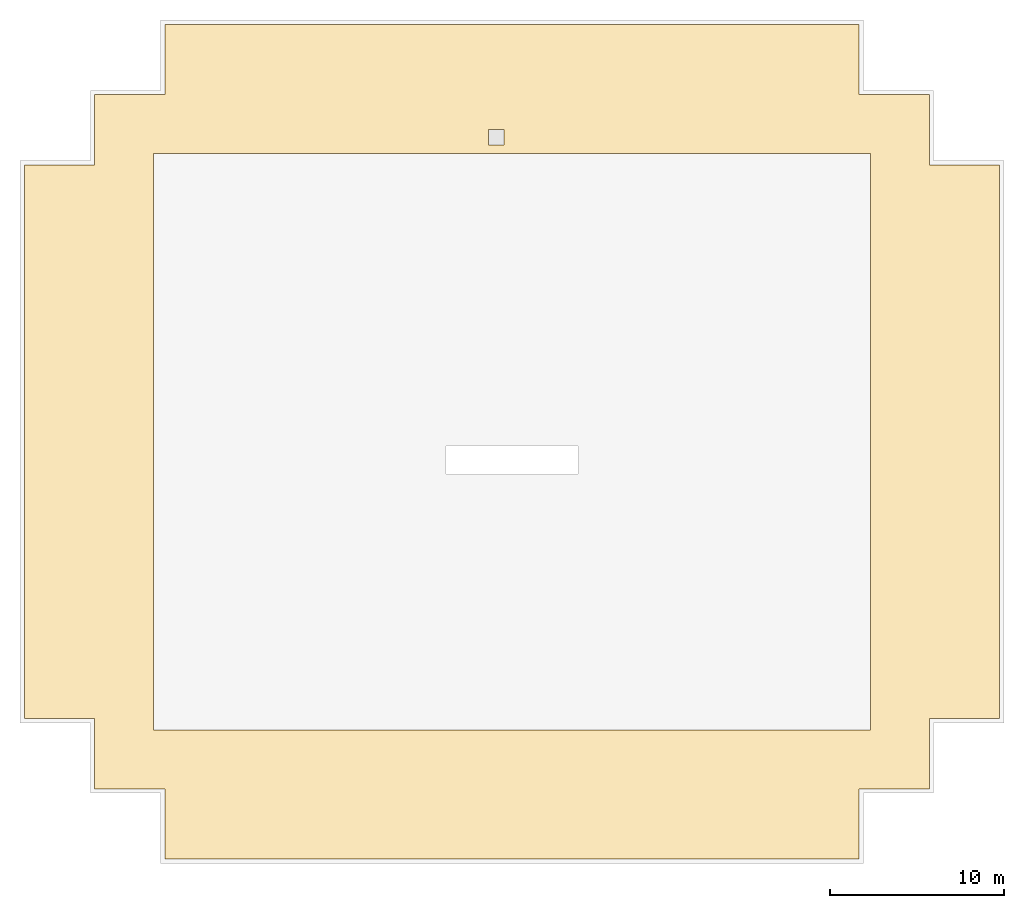
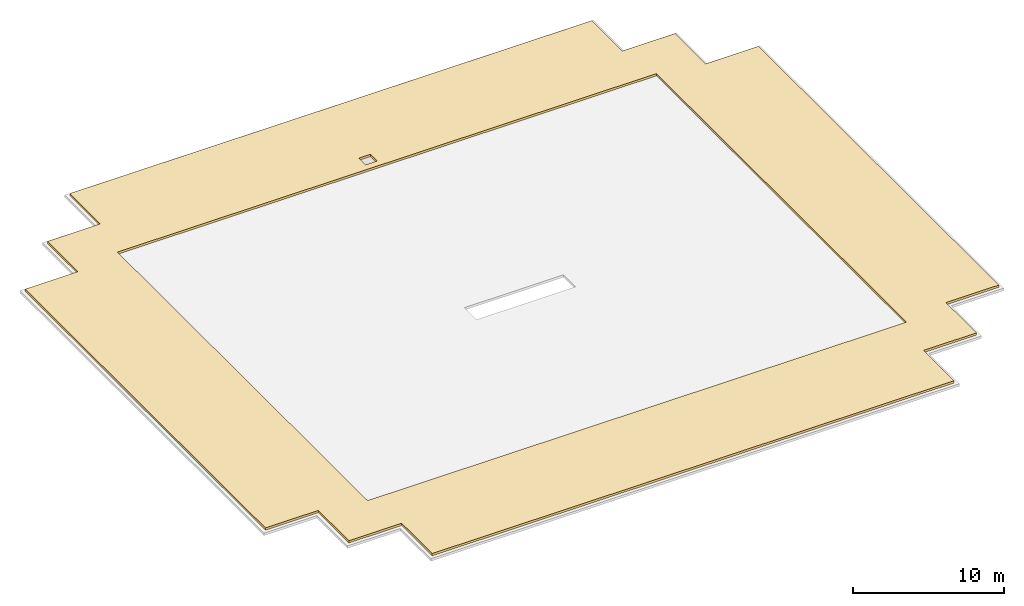
# One storey, part 2 of 2: 1 covering.
"""IFC4 building model written with IfcOpenShell, lengths in metres."""

from ifc_helpers import new_model, si_unit, direction, frame, origin, place, context, subcontext, project, spatial, polyline, outline, extrude, material, layer, layer_set, type_object, element, save


model = new_model("IFC4")

# Units and contexts
model_context = context("Model", 3, precision=1e-05, world=origin(), true_north=direction((0.0, 1.0)))
body_context = subcontext(model_context, "Body", "Model", "MODEL_VIEW")
ifc_project = project(units=[si_unit("LENGTHUNIT", "METRE"), si_unit("AREAUNIT", "SQUARE_METRE"), si_unit("VOLUMEUNIT", "CUBIC_METRE"), si_unit("PLANEANGLEUNIT", "RADIAN"), si_unit("MASSUNIT", "GRAM", prefix="KILO")], contexts=[model_context])

# Site, building, storey
site_placement = place(None, origin())
site = spatial("IfcSite", under=ifc_project, at=site_placement, CompositionType="ELEMENT")
building_placement = place(site_placement, origin())
building = spatial("IfcBuilding", under=site, at=building_placement, Name="Kopane Lantern Tower", CompositionType="ELEMENT")
storey_placement = place(building_placement, frame((0.0, 0.0, 309.699951171875)))
storey = spatial("IfcBuildingStorey", under=building, at=storey_placement, Name="ROOF", CompositionType="ELEMENT", Elevation=309.699951171875)

# Covering
ifc_material = material(Name="Bitumen membrane and PIR insulation", Category="bitumen")
ifc_layer = layer(ifc_material, 0.18505859375)
ifc_layer_set = layer_set([ifc_layer], Name="ROOF FINISH RF2 PLANT ROOF 185")
covering_type = type_object("IfcCoveringType", Name="ROOF FINISH RF2 PLANT ROOF 185", PredefinedType="ROOFING", material=ifc_layer_set)
covering_placement = place(storey_placement, frame((0.0, 0.0, 0.199951171875)))
element("IfcCovering", 1, at=covering_placement, inside=storey, type_object=covering_type, Name="Roof finish L77", PredefinedType="ROOFING", context=body_context, shape_type="SweptSolid", body=[
    extrude(outline(polyline([(48.35009765625, 64.550048828125), (8.35009765625, 64.550048828125), (8.35009765625, 60.5), (4.300048828125, 60.5), (4.300048828125, 56.449951171875), (0.25, 56.449951171875), (0.25, 24.550048828125), (4.300048828125, 24.550048828125), (4.300048828125, 20.5), (8.35009765625, 20.5), (8.35009765625, 16.449951171875), (48.35009765625, 16.449951171875), (48.35009765625, 20.5), (52.39990234375, 20.5), (52.39990234375, 24.550048828125), (56.449951171875, 24.550048828125), (56.449951171875, 56.449951171875), (52.39990234375, 56.449951171875), (52.39990234375, 60.5), (48.35009765625, 60.5), (48.35009765625, 64.550048828125)]), holes=[polyline([(27.89990234375, 57.60009765625), (27.0, 57.60009765625), (27.0, 58.5), (27.89990234375, 58.5), (27.89990234375, 57.60009765625)]), polyline([(49.0, 57.10009765625), (49.0, 23.89990234375), (7.699951171875, 23.89990234375), (7.699951171875, 57.10009765625), (49.0, 57.10009765625)])]), origin(), (0.0, 0.0, 1.0), 0.18505859375),
])

save(model, "model.ifc")
